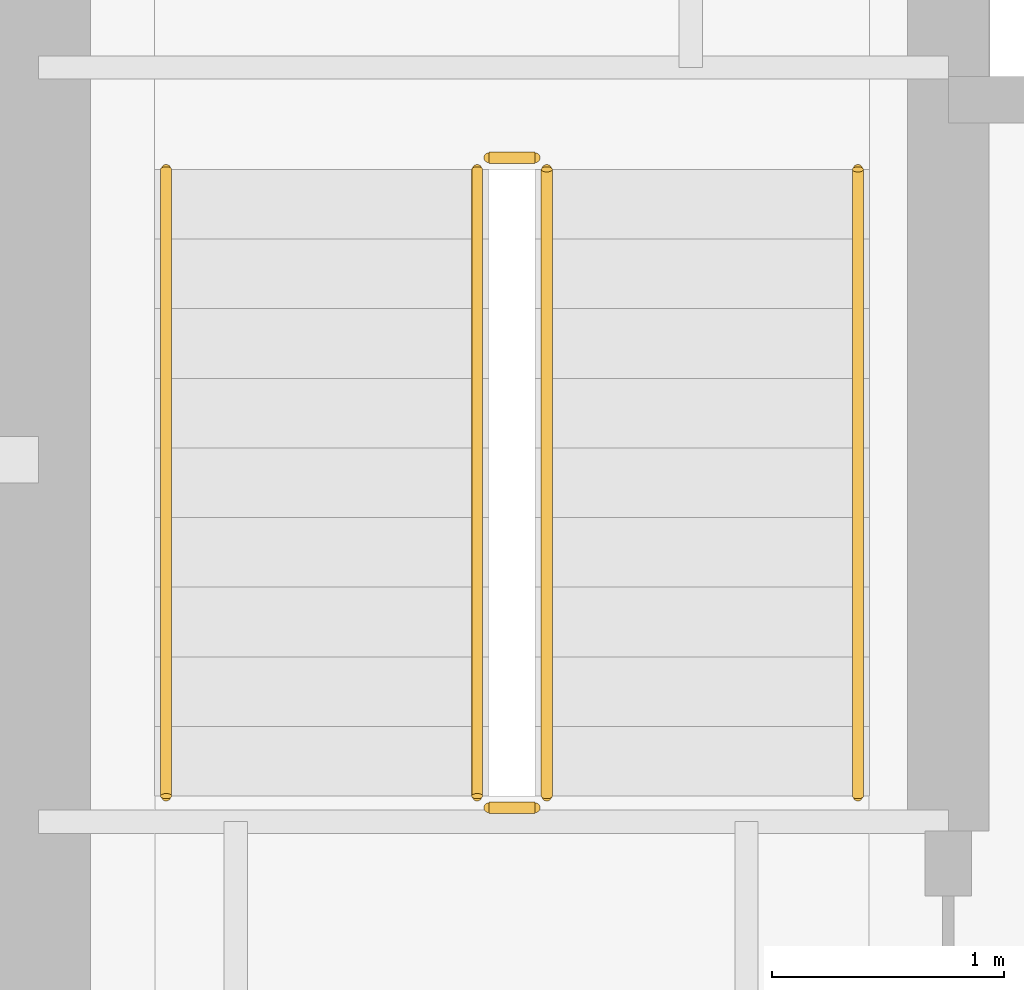
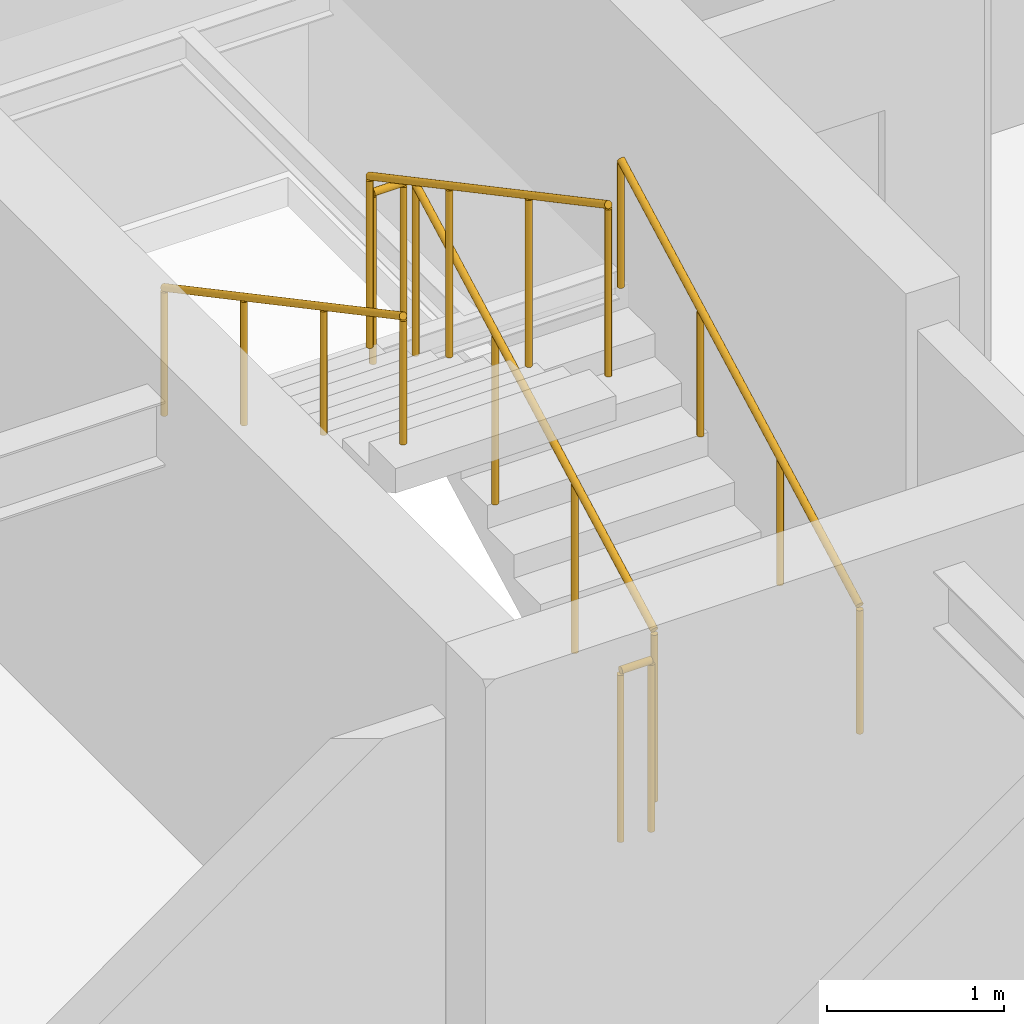
# One storey, part 6 of 6: 6 railings.
"""IFC4 building model written with IfcOpenShell, lengths in metres."""

import ifcopenshell
import ifcopenshell.guid

model = None  # the IFC model being written
_history = None  # IfcOwnerHistory: only IFC2X3 demands one
_inside = {}  # id of a spatial element -> (the spatial element, [elements in it])
_under = {}  # id of a project, library or spatial element -> (it, [spatial elements below it])
_declared = {}  # id of a project -> (the project, [libraries it declares])
_typed = {}  # id of a type object -> (the type object, [elements of that type])
_made_of = {}  # id of a material, layer set ... -> (it, [elements and type objects made of it])


def new_model(schema):
    """Start an empty IFC model of exactly this schema.

    Asked for "IFC4X3", IfcOpenShell would pick the latest addendum, in which some entities
    have other attributes; the version numbers below select the first issue.
    IFC2X3 requires an IfcOwnerHistory on every rooted entity: one is made here for all.
    """
    global model, _history
    if schema == "IFC4X3":
        model = ifcopenshell.file(schema_version=(4, 3, 0, 0))
    else:
        model = ifcopenshell.file(schema=schema)
    _inside.clear()
    _under.clear()
    _declared.clear()
    _typed.clear()
    _made_of.clear()
    _history = None
    if model.schema == "IFC2X3":
        org = make("IfcOrganization", Name="unknown")
        user = make(
            "IfcPersonAndOrganization",
            ThePerson=make("IfcPerson", FamilyName="unknown"),
            TheOrganization=org,
        )
        app = make(
            "IfcApplication",
            ApplicationDeveloper=org,
            Version="unknown",
            ApplicationFullName="unknown",
            ApplicationIdentifier="unknown",
        )
        _history = make(
            "IfcOwnerHistory",
            OwningUser=user,
            OwningApplication=app,
            ChangeAction="ADDED",
            CreationDate=0,
        )
    return model


def make(cls, **values):
    """One entity of the class cls with the attributes given. An attribute that is None is left unset."""
    return model.create_entity(
        cls, **{name: value for name, value in values.items() if value is not None}
    )


def rooted(cls, **values):
    """An entity with a GlobalId (a new one), such as an element, a storey or a relation."""
    return make(cls, GlobalId=ifcopenshell.guid.new(), OwnerHistory=_history, **values)


def si_unit(unit_type, name, prefix=None):
    """IfcSIUnit, for example si_unit("LENGTHUNIT", "METRE", prefix="MILLI")."""
    return make("IfcSIUnit", UnitType=unit_type, Prefix=prefix, Name=name)


def assignment(units):
    """IfcUnitAssignment: the units of a project."""
    return None if units is None else make("IfcUnitAssignment", Units=units)


def point(xyz):
    """IfcCartesianPoint."""
    return None if xyz is None else make("IfcCartesianPoint", Coordinates=xyz)


def direction(xyz):
    """IfcDirection."""
    return None if xyz is None else make("IfcDirection", DirectionRatios=xyz)


def frame(location, z_axis=None, x_axis=None):
    """IfcAxis2Placement3D, a coordinate frame: its origin and axes. An axis left out is left unset."""
    return make(
        "IfcAxis2Placement3D",
        Location=point(location),
        Axis=direction(z_axis),
        RefDirection=direction(x_axis),
    )


def frame_2d(location, x_axis=None):
    """IfcAxis2Placement2D, a coordinate frame in the plane: its origin and x axis."""
    return make(
        "IfcAxis2Placement2D", Location=point(location), RefDirection=direction(x_axis)
    )


def origin():
    """The frame at (0, 0, 0) with its axes left unset."""
    return frame((0.0, 0.0, 0.0))


def origin_2d():
    """The frame at (0, 0) in the plane with its x axis left unset."""
    return frame_2d((0.0, 0.0))


def place(relative_to, where):
    """IfcLocalPlacement: puts the frame where relative to a parent placement (None: the world)."""
    return make(
        "IfcLocalPlacement", PlacementRelTo=relative_to, RelativePlacement=where
    )


def context(
    kind, dimensions, precision=None, world=None, true_north=None, identifier=None
):
    """IfcGeometricRepresentationContext, for example the 3D "Model" context."""
    return make(
        "IfcGeometricRepresentationContext",
        ContextIdentifier=identifier,
        ContextType=kind,
        CoordinateSpaceDimension=dimensions,
        Precision=precision,
        WorldCoordinateSystem=world,
        TrueNorth=true_north,
    )


def subcontext(parent, identifier, kind, view, scale=None):
    """IfcGeometricRepresentationSubContext, for example "Body" below "Model"."""
    return make(
        "IfcGeometricRepresentationSubContext",
        ContextIdentifier=identifier,
        ContextType=kind,
        ParentContext=parent,
        TargetScale=scale,
        TargetView=view,
    )


def project(units=None, contexts=None):
    """IfcProject with its units and contexts."""
    return rooted(
        "IfcProject",
        Name="project",
        RepresentationContexts=contexts,
        UnitsInContext=assignment(units),
    )


def spatial(cls, under=None, at=None, **own):
    """A site, building, storey or space (cls), placed at a placement, below another one or the project."""
    s = rooted(cls, ObjectPlacement=at, **own)
    if under is not None:
        _under.setdefault(under.id(), (under, []))[1].append(s)
    return s


def profile(cls, at=None, kind="AREA", **sizes):
    """A parametric profile (cls). Its sizes go by their IFC names, for example OverallWidth=200.0."""
    return make(cls, ProfileType=kind, Position=at, **sizes)


def circle(**sizes):
    """IfcCircleProfileDef."""
    return profile("IfcCircleProfileDef", **sizes)


def extrude(swept, where, along, depth):
    """IfcExtrudedAreaSolid: the profile swept, set in the frame where, extruded along a direction by depth."""
    return make(
        "IfcExtrudedAreaSolid",
        SweptArea=swept,
        Position=where,
        ExtrudedDirection=direction(along),
        Depth=depth,
    )


def shape(context_of_items, identifier, shape_type, items):
    """IfcShapeRepresentation: the items that make up one representation, for example the "Body"."""
    return make(
        "IfcShapeRepresentation",
        ContextOfItems=context_of_items,
        RepresentationIdentifier=identifier,
        RepresentationType=shape_type,
        Items=items,
    )


def material(Name=None, Category=None):
    """IfcMaterial."""
    return make("IfcMaterial", Name=Name, Category=Category)


def made_of(thing, what):
    """Note that an element or type object is made of a material, layer set ...; save() writes the relation."""
    if what is not None:
        _made_of.setdefault(what.id(), (what, []))[1].append(thing)
    return thing


def type_object(cls, material=None, **own):
    """A type object (cls), such as IfcWallType, which elements share."""
    return made_of(rooted(cls, **own), material)


def element(
    cls,
    number,
    at=None,
    inside=None,
    cuts=None,
    type_object=None,
    material=None,
    context=None,
    identifier="Body",
    shape_type=None,
    held_by="IfcProductDefinitionShape",
    body=None,
    shapes=None,
    **own,
):
    """One element of the class cls, such as IfcWall. Its Tag is "e" and its number.

    at: its placement. inside: the storey or other place that contains it. cuts: it is an
    opening in that element (IfcRelVoidsElement). A single representation is given by context,
    identifier, shape_type and body (its items); several are given by shapes. held_by: the class
    of the entity that holds the representations. save() writes the other relations.
    """
    e = rooted(cls, Tag="e%d" % number, ObjectPlacement=at, **own)
    if body is not None:
        shapes = [shape(context, identifier, shape_type, body)]
    if shapes is not None:
        e.Representation = make(held_by, Representations=shapes)
    if inside is not None:
        _inside.setdefault(inside.id(), (inside, []))[1].append(e)
    if cuts is not None:
        rooted(
            "IfcRelVoidsElement", RelatingBuildingElement=cuts, RelatedOpeningElement=e
        )
    if type_object is not None:
        _typed.setdefault(type_object.id(), (type_object, []))[1].append(e)
    return made_of(e, material)


def aggregate(whole, parts):
    """IfcRelAggregates: a whole, such as a stair, and the parts it consists of."""
    return rooted("IfcRelAggregates", RelatingObject=whole, RelatedObjects=parts)


def save(model, path):
    """Write the relations noted so far, then the file.

    IfcRelAggregates (storeys below a building ...), IfcRelContainedInSpatialStructure (elements
    in a storey), IfcRelDefinesByType, IfcRelAssociatesMaterial and IfcRelDeclares: one each for
    every whole, place, type object, material and project.
    """
    for whole, parts in _under.values():
        aggregate(whole, parts)
    for where, things in _inside.values():
        rooted(
            "IfcRelContainedInSpatialStructure",
            RelatedElements=things,
            RelatingStructure=where,
        )
    for kind, things in _typed.values():
        rooted("IfcRelDefinesByType", RelatedObjects=things, RelatingType=kind)
    for what, things in _made_of.values():
        rooted("IfcRelAssociatesMaterial", RelatedObjects=things, RelatingMaterial=what)
    for by, libraries in _declared.values():
        rooted("IfcRelDeclares", RelatingContext=by, RelatedDefinitions=libraries)
    model.write(path)


model = new_model("IFC4")

# Units and contexts
model_context = context("Model", 3, precision=1e-05, world=origin(), true_north=direction((0.0, 1.0)))
body_context = subcontext(model_context, "Body", "Model", "MODEL_VIEW")
ifc_project = project(units=[si_unit("LENGTHUNIT", "METRE"), si_unit("AREAUNIT", "SQUARE_METRE"), si_unit("VOLUMEUNIT", "CUBIC_METRE"), si_unit("PLANEANGLEUNIT", "RADIAN"), si_unit("MASSUNIT", "GRAM", prefix="KILO")], contexts=[model_context])

# Site, building, storey
site_placement = place(None, origin())
site = spatial("IfcSite", under=ifc_project, at=site_placement, CompositionType="ELEMENT")
building_placement = place(site_placement, origin())
building = spatial("IfcBuilding", under=site, at=building_placement, Name="Qiaolan Cultural Towers", CompositionType="ELEMENT")
storey_placement = place(building_placement, frame((0.0, 0.0, 269.60009765625)))
storey = spatial("IfcBuildingStorey", under=building, at=storey_placement, Name="L74", CompositionType="ELEMENT", Elevation=269.60009765625)

# Railings
ifc_material_1 = material(Name="Galvanized Painted Steel Stair Guardrail", Category="steel")
railing_type_1 = type_object("IfcRailingType", Name="RL-STAIR-GRD", PredefinedType="GUARDRAIL", material=ifc_material_1)
railing_1_placement = place(storey_placement, frame((23.989990234375, 48.449951171875, 0.159912109375)))
element("IfcRailing", 1, at=railing_1_placement, inside=storey, type_object=railing_type_1, Name="L74 ST-W2 stair guard 1", PredefinedType="GUARDRAIL", context=body_context, shape_type="SweptSolid", body=[
    extrude(circle(Radius=0.02392578125, at=origin_2d()), frame((0.0, 0.0, 1.17578125), z_axis=(0.0, 0.882357358376, 0.470579952952), x_axis=(-1.0, 0.0, 0.0)), (0.0, 0.0, 1.0), 3.059814453125),
    extrude(circle(Radius=0.02099609375, at=origin_2d()), origin(), (0.0, 0.0, 1.0), 1.15185546875),
    extrude(circle(Radius=0.02099609375, at=origin_2d()), frame((0.0, 0.89990234375, 0.47998046875)), (0.0, 0.0, 1.0), 1.15185546875),
    extrude(circle(Radius=0.02099609375, at=origin_2d()), frame((0.0, 1.800048828125, 0.9599609375)), (0.0, 0.0, 1.0), 1.15185546875),
    extrude(circle(Radius=0.02099609375, at=origin_2d()), frame((0.0, 2.699951171875, 1.43994140625)), (0.0, 0.0, 1.0), 1.15185546875),
])
railing_2_placement = place(storey_placement, frame((23.93994140625, 51.199951171875, 1.599853515625)))
element("IfcRailing", 2, at=railing_2_placement, inside=storey, type_object=railing_type_1, Name="L74 ST-W2 stair guard 2", PredefinedType="GUARDRAIL", context=body_context, shape_type="SweptSolid", body=[
    extrude(circle(Radius=0.02392578125, at=origin_2d()), frame((0.0, 0.0, 1.17578125), z_axis=(-1.0, 0.0, 0.0), x_axis=(0.0, -1.0, 0.0)), (0.0, 0.0, 1.0), 0.199951171875),
    extrude(circle(Radius=0.02099609375, at=origin_2d()), origin(), (0.0, 0.0, 1.0), 1.15185546875),
    extrude(circle(Radius=0.02099609375, at=origin_2d()), frame((-0.199951171875, 0.0, 0.0)), (0.0, 0.0, 1.0), 1.15185546875),
])
railing_3_placement = place(storey_placement, frame((23.68994140625, 51.14990234375, 1.760009765625)))
element("IfcRailing", 3, at=railing_3_placement, inside=storey, type_object=railing_type_1, Name="L74 ST-W2 stair guard 3", PredefinedType="GUARDRAIL", context=body_context, shape_type="SweptSolid", body=[
    extrude(circle(Radius=0.02392578125, at=origin_2d()), frame((0.0, 0.0, 1.17578125), z_axis=(0.0, -0.882357358376, 0.470579952952), x_axis=(1.0, 0.0, 0.0)), (0.0, 0.0, 1.0), 3.059814453125),
    extrude(circle(Radius=0.02099609375, at=origin_2d()), origin(), (0.0, 0.0, 1.0), 1.15185546875),
    extrude(circle(Radius=0.02099609375, at=origin_2d()), frame((0.0, -0.89990234375, 0.47998046875)), (0.0, 0.0, 1.0), 1.15185546875),
    extrude(circle(Radius=0.02099609375, at=origin_2d()), frame((0.0, -1.800048828125, 0.9599609375)), (0.0, 0.0, 1.0), 1.15185546875),
    extrude(circle(Radius=0.02099609375, at=origin_2d()), frame((0.0, -2.699951171875, 1.43994140625)), (0.0, 0.0, 1.0), 1.15185546875),
])
railing_4_placement = place(storey_placement, frame((23.93994140625, 48.39990234375, 0.0)))
element("IfcRailing", 4, at=railing_4_placement, inside=storey, type_object=railing_type_1, Name="L74 ST-W2 stair guard 4", PredefinedType="GUARDRAIL", context=body_context, shape_type="SweptSolid", body=[
    extrude(circle(Radius=0.02392578125, at=origin_2d()), frame((0.0, 0.0, 1.17578125), z_axis=(-1.0, 0.0, 0.0), x_axis=(0.0, -1.0, 0.0)), (0.0, 0.0, 1.0), 0.199951171875),
    extrude(circle(Radius=0.02099609375, at=origin_2d()), origin(), (0.0, 0.0, 1.0), 1.15185546875),
    extrude(circle(Radius=0.02099609375, at=origin_2d()), frame((-0.199951171875, 0.0, 0.0)), (0.0, 0.0, 1.0), 1.15185546875),
])
ifc_material_2 = material(Name="Stainless Steel S30408 Tubular Handrail", Category="steel")
railing_type_2 = type_object("IfcRailingType", Name="RL-STAIR-HR", PredefinedType="HANDRAIL", material=ifc_material_2)
railing_5_placement = place(storey_placement, frame((25.330078125, 48.449951171875, 0.159912109375)))
element("IfcRailing", 5, at=railing_5_placement, inside=storey, type_object=railing_type_2, Name="L74 ST-W2 stair handrail 1", PredefinedType="HANDRAIL", context=body_context, shape_type="SweptSolid", body=[
    extrude(circle(Radius=0.02392578125, at=origin_2d()), frame((0.0, 0.0, 0.8759765625), z_axis=(0.0, 0.882357358376, 0.470579952952), x_axis=(-1.0, 0.0, 0.0)), (0.0, 0.0, 1.0), 3.059814453125),
    extrude(circle(Radius=0.02099609375, at=origin_2d()), origin(), (0.0, 0.0, 1.0), 0.851806640625),
    extrude(circle(Radius=0.02099609375, at=origin_2d()), frame((0.0, 0.89990234375, 0.47998046875)), (0.0, 0.0, 1.0), 0.851806640625),
    extrude(circle(Radius=0.02099609375, at=origin_2d()), frame((0.0, 1.800048828125, 0.9599609375)), (0.0, 0.0, 1.0), 0.851806640625),
    extrude(circle(Radius=0.02099609375, at=origin_2d()), frame((0.0, 2.699951171875, 1.43994140625)), (0.0, 0.0, 1.0), 0.851806640625),
])
railing_6_placement = place(storey_placement, frame((22.35009765625, 51.14990234375, 1.760009765625)))
element("IfcRailing", 6, at=railing_6_placement, inside=storey, type_object=railing_type_2, Name="L74 ST-W2 stair handrail 2", PredefinedType="HANDRAIL", context=body_context, shape_type="SweptSolid", body=[
    extrude(circle(Radius=0.02392578125, at=origin_2d()), frame((0.0, 0.0, 0.8759765625), z_axis=(0.0, -0.882357358376, 0.470579952952), x_axis=(1.0, 0.0, 0.0)), (0.0, 0.0, 1.0), 3.059814453125),
    extrude(circle(Radius=0.02099609375, at=origin_2d()), origin(), (0.0, 0.0, 1.0), 0.851806640625),
    extrude(circle(Radius=0.02099609375, at=origin_2d()), frame((0.0, -0.89990234375, 0.47998046875)), (0.0, 0.0, 1.0), 0.851806640625),
    extrude(circle(Radius=0.02099609375, at=origin_2d()), frame((0.0, -1.800048828125, 0.9599609375)), (0.0, 0.0, 1.0), 0.851806640625),
    extrude(circle(Radius=0.02099609375, at=origin_2d()), frame((0.0, -2.699951171875, 1.43994140625)), (0.0, 0.0, 1.0), 0.851806640625),
])

save(model, "model.ifc")
